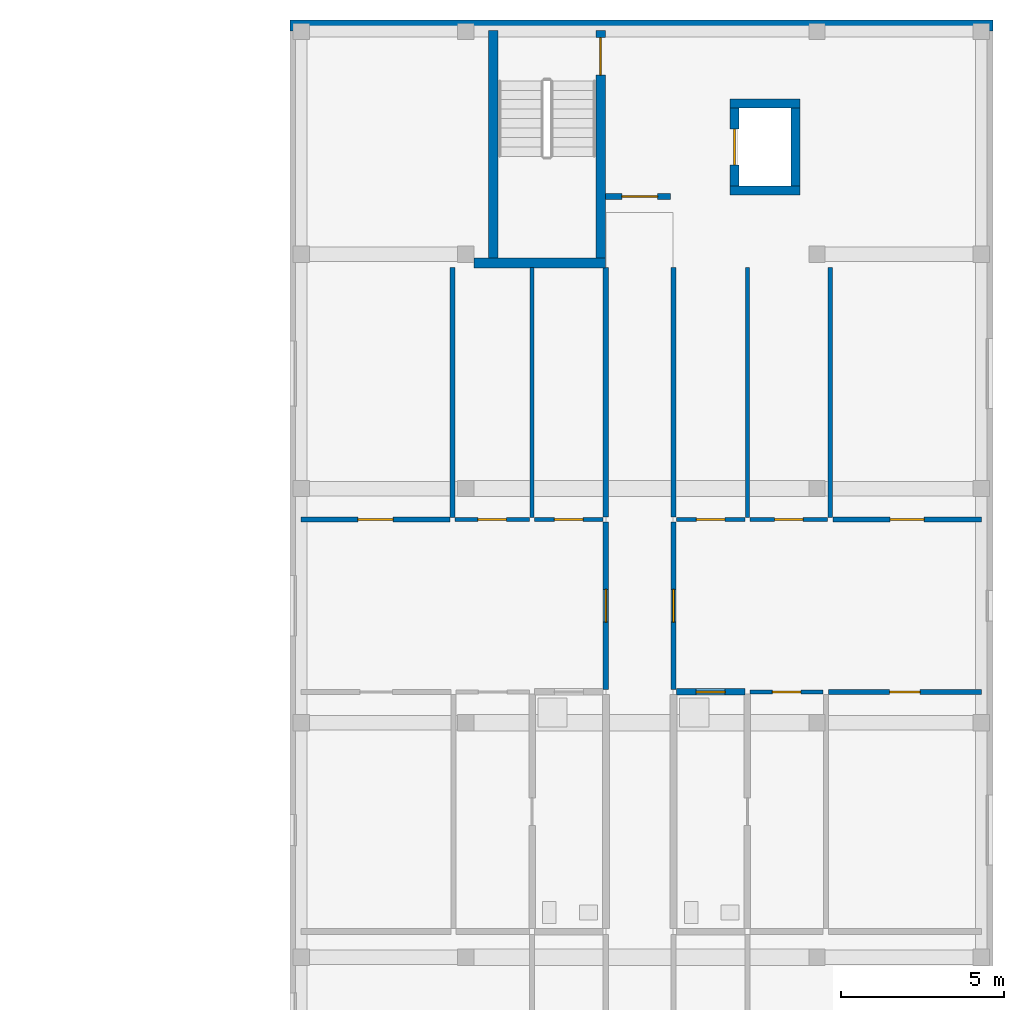
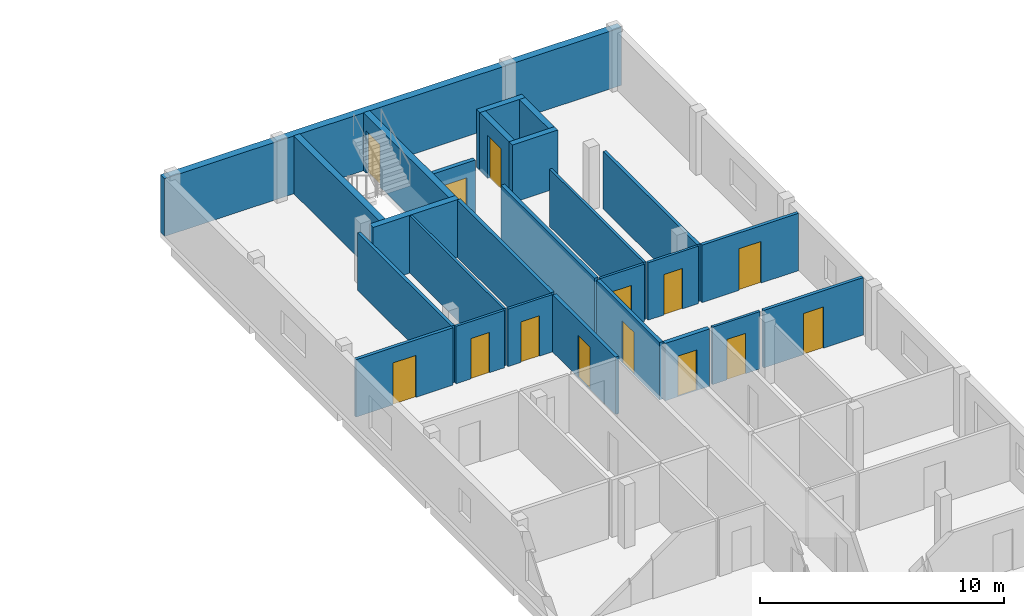
# One storey, part 18 of 28: 26 walls, 14 doors, 14 openings.
"""IFC4 building model written with IfcOpenShell, lengths in metres."""

from ifc_helpers import new_model, si_unit, derived_unit, direction, frame, frame_2d, origin, place, context, subcontext, project, spatial, rectangle, extrude, material, layer, layer_set, type_object, element, fill, save


model = new_model("IFC4")

# Units and contexts
model_context = context("Model", 3, precision=1e-05, world=origin(), true_north=direction((0.0, 1.0)))
body_context = subcontext(model_context, "Body", "Model", "MODEL_VIEW")
ifc_project = project(units=[si_unit("LENGTHUNIT", "METRE"), si_unit("AREAUNIT", "SQUARE_METRE"), si_unit("VOLUMEUNIT", "CUBIC_METRE"), si_unit("PLANEANGLEUNIT", "RADIAN"), si_unit("MASSUNIT", "GRAM", prefix="KILO"), derived_unit("THERMALTRANSMITTANCEUNIT", [(si_unit("MASSUNIT", "GRAM", prefix="KILO"), 1), (si_unit("TIMEUNIT", "SECOND"), -3), (si_unit("THERMODYNAMICTEMPERATUREUNIT", "KELVIN"), -1)])], contexts=[model_context])

# Site, building, storey
site_placement = place(None, origin())
site = spatial("IfcSite", under=ifc_project, at=site_placement, CompositionType="ELEMENT")
building_placement = place(site_placement, origin())
building = spatial("IfcBuilding", under=site, at=building_placement, Name="Ochrekiln Boulevard Commons", CompositionType="ELEMENT")
storey_placement = place(building_placement, frame((0.0, 0.0, 34.125)))
storey = spatial("IfcBuildingStorey", under=building, at=storey_placement, Name="L10", CompositionType="ELEMENT", Elevation=34.125)

# Wall
ifc_material_1 = material(Name="Iron-spot brown clinker brick masonry ASTM C216 Grade SW", Category="masonry")
ifc_layer_1 = layer(ifc_material_1, 0.340087890625)
ifc_layer_set_1 = layer_set([ifc_layer_1], Name="Iron-spot brown clinker brick masonry ASTM C216 Grade SW")
wall_type_1 = type_object("IfcWallType", Name="WL-EXT-IRON-340", PredefinedType="SOLIDWALL", material=ifc_layer_set_1)
wall_1_placement = place(storey_placement, frame((151.199951171875, 118.6298828125, 0.0), z_axis=(0.0, 0.0, 1.0), x_axis=(1.0, 0.0, 0.0)))
element("IfcWall", 1, at=wall_1_placement, inside=storey, type_object=wall_type_1, Name="Block B L10 N Exterior Wall", PredefinedType="SOLIDWALL", context=body_context, shape_type="SweptSolid", body=[
    extrude(rectangle(XDim=21.60009765625, YDim=0.340087890625, at=frame_2d((10.800048828125, 0.0))), origin(), (0.0, 0.0, 1.0), 2.889892578125),
])

# Wall, opening, door
ifc_material_2 = material(Name="Moisture-resistant cementitious tile backer wall")
ifc_layer_2 = layer(ifc_material_2, 0.199951171875)
ifc_layer_set_2 = layer_set([ifc_layer_2], Name="Moisture-resistant cementitious tile backer wall")
wall_type_2 = type_object("IfcWallType", Name="WL-PLM-200", PredefinedType="PLUMBINGWALL", material=ifc_layer_set_2)
wall_2_placement = place(storey_placement, frame((163.072998046875, 98.14990234375, 0.0), z_axis=(0.0, 0.0, 1.0), x_axis=(1.0, 0.0, 0.0)))
wall_2 = element("IfcWall", 2, at=wall_2_placement, inside=storey, type_object=wall_type_2, Name="L10 Interior Wall W-PW200", PredefinedType="PLUMBINGWALL", context=body_context, shape_type="SweptSolid", body=[
    extrude(rectangle(XDim=2.10693359375, YDim=0.199951171875, at=frame_2d((1.053466796875, 0.0))), origin(), (0.0, 0.0, 1.0), 2.8701171875),
])
opening_1_placement = place(wall_2_placement, frame((0.612060546875, 0.0, 0.0)))
opening_1 = element("IfcOpeningElement", 3, at=opening_1_placement, cuts=wall_2, Name="Opening D-L10-1217", PredefinedType="OPENING", context=body_context, shape_type="SweptSolid", body=[
    extrude(rectangle(XDim=0.889892578125, YDim=2.030029296875, at=frame_2d((0.44482421875, 1.01513671875))), frame((0.0, 0.10986328125, 0.0), z_axis=(0.0, -1.0, 0.0), x_axis=(1.0, 0.0, 0.0)), (0.0, 0.0, 1.0), 0.219970703125),
])
ifc_material_3 = material(Name="Solid core architectural oak door leaf")
door_type_1 = type_object("IfcDoorType", Name="DR-INT-BTH-089", OperationType="NOTDEFINED", PredefinedType="DOOR", material=ifc_material_3)
door_1_placement = place(opening_1_placement, frame((0.889892578125, 0.0, 0.0), z_axis=(0.0, 0.0, 1.0), x_axis=(-1.0, 0.0, 0.0)))
door_1 = element("IfcDoor", 4, at=door_1_placement, inside=storey, type_object=door_type_1, Name="L10 Interior Door to Apartment Bathroom", OperationType="SINGLE_SWING_LEFT", OverallHeight=2.030029296875, OverallWidth=0.889892578125, PredefinedType="DOOR", context=body_context, shape_type="SweptSolid", body=[
    extrude(rectangle(XDim=0.889892578125, YDim=2.030029296875, at=frame_2d((0.44482421875, 1.01513671875))), frame((0.0, 0.02490234375, 0.0), z_axis=(0.0, -1.0, 0.0), x_axis=(1.0, 0.0, 0.0)), (0.0, 0.0, 1.0), 0.050048828125),
])
fill(opening_1, door_1)

ifc_material_4 = material(Name="Fire-rated Type X gypsum board on steel studs", Category="steel")
ifc_layer_3 = layer(ifc_material_4, 0.1650390625)
ifc_layer_set_3 = layer_set([ifc_layer_3], Name="Fire-rated Type X gypsum board on steel studs")
wall_type_3 = type_object("IfcWallType", Name="WL-PT-CORR-165", PredefinedType="PARTITIONING", material=ifc_layer_set_3)
wall_3_placement = place(storey_placement, frame((160.909912109375, 98.22998046875, 0.0), z_axis=(0.0, 0.0, 1.0), x_axis=(0.0, 1.0, 0.0)))
wall_3 = element("IfcWall", 5, at=wall_3_placement, inside=storey, type_object=wall_type_3, Name="L10 Interior Wall W-PC165", PredefinedType="PARTITIONING", context=body_context, shape_type="SweptSolid", body=[
    extrude(rectangle(XDim=5.14013671875, YDim=0.1650390625, at=frame_2d((2.570068359375, 0.0))), origin(), (0.0, 0.0, 1.0), 2.8701171875),
])
opening_2_placement = place(wall_3_placement, frame((2.06494140625, 0.0, 0.0)))
opening_2 = element("IfcOpeningElement", 6, at=opening_2_placement, cuts=wall_3, Name="Opening D-L10-1199", PredefinedType="OPENING", context=body_context, shape_type="SweptSolid", body=[
    extrude(rectangle(XDim=1.010009765625, YDim=2.110107421875, at=frame_2d((0.5048828125, 1.05517578125))), frame((0.0, 0.092529296875, 0.0), z_axis=(0.0, -1.0, 0.0), x_axis=(1.0, 0.0, 0.0)), (0.0, 0.0, 1.0), 0.18505859375),
])
door_type_2 = type_object("IfcDoorType", Name="DR-INT-APT-101", OperationType="NOTDEFINED", PredefinedType="DOOR", material=ifc_material_3)
door_2_placement = place(opening_2_placement, origin())
door_2 = element("IfcDoor", 7, at=door_2_placement, inside=storey, type_object=door_type_2, Name="L10 Interior Door to Two-Bedroom Apartment Living Room", OperationType="SINGLE_SWING_LEFT", OverallHeight=2.110107421875, OverallWidth=1.010009765625, PredefinedType="DOOR", context=body_context, shape_type="SweptSolid", body=[
    extrude(rectangle(XDim=1.010009765625, YDim=2.110107421875, at=frame_2d((0.5048828125, 1.05517578125))), frame((0.0, 0.02490234375, 0.0), z_axis=(0.0, -1.0, 0.0), x_axis=(1.0, 0.0, 0.0)), (0.0, 0.0, 1.0), 0.050048828125),
])
fill(opening_2, door_2)

# Wall
wall_4_placement = place(storey_placement, frame((160.909912109375, 103.530029296875, 0.0), z_axis=(0.0, 0.0, 1.0), x_axis=(0.0, 1.0, 0.0)))
element("IfcWall", 8, at=wall_4_placement, inside=storey, type_object=wall_type_3, Name="L10 Interior Wall W-PC165", PredefinedType="PARTITIONING", context=body_context, shape_type="SweptSolid", body=[
    extrude(rectangle(XDim=7.669921875, YDim=0.1650390625, at=frame_2d((3.8349609375, 0.0))), origin(), (0.0, 0.0, 1.0), 2.8701171875),
])

# Wall, opening, door
wall_5_placement = place(storey_placement, frame((162.989990234375, 98.22998046875, 0.0), z_axis=(0.0, 0.0, 1.0), x_axis=(0.0, 1.0, 0.0)))
wall_5 = element("IfcWall", 9, at=wall_5_placement, inside=storey, type_object=wall_type_3, Name="L10 Interior Wall W-PC165", PredefinedType="PARTITIONING", context=body_context, shape_type="SweptSolid", body=[
    extrude(rectangle(XDim=5.14013671875, YDim=0.1650390625, at=frame_2d((2.570068359375, 0.0))), origin(), (0.0, 0.0, 1.0), 2.8701171875),
])
opening_3_placement = place(wall_5_placement, frame((2.06494140625, 0.0, 0.0)))
opening_3 = element("IfcOpeningElement", 10, at=opening_3_placement, cuts=wall_5, Name="Opening D-L10-1201", PredefinedType="OPENING", context=body_context, shape_type="SweptSolid", body=[
    extrude(rectangle(XDim=1.010009765625, YDim=2.110107421875, at=frame_2d((0.5048828125, 1.05517578125))), frame((0.0, 0.092529296875, 0.0), z_axis=(0.0, -1.0, 0.0), x_axis=(1.0, 0.0, 0.0)), (0.0, 0.0, 1.0), 0.18505859375),
])
door_3_placement = place(opening_3_placement, frame((1.010009765625, 0.0, 0.0), z_axis=(0.0, 0.0, 1.0), x_axis=(-1.0, 0.0, 0.0)))
door_3 = element("IfcDoor", 11, at=door_3_placement, inside=storey, type_object=door_type_2, Name="L10 Interior Door to Two-Bedroom Apartment Living Room", OperationType="SINGLE_SWING_LEFT", OverallHeight=2.110107421875, OverallWidth=1.010009765625, PredefinedType="DOOR", context=body_context, shape_type="SweptSolid", body=[
    extrude(rectangle(XDim=1.010009765625, YDim=2.110107421875, at=frame_2d((0.5048828125, 1.05517578125))), frame((0.0, 0.02490234375, 0.0), z_axis=(0.0, -1.0, 0.0), x_axis=(1.0, 0.0, 0.0)), (0.0, 0.0, 1.0), 0.050048828125),
])
fill(opening_3, door_3)

# Wall
wall_6_placement = place(storey_placement, frame((162.989990234375, 103.530029296875, 0.0), z_axis=(0.0, 0.0, 1.0), x_axis=(0.0, 1.0, 0.0)))
element("IfcWall", 12, at=wall_6_placement, inside=storey, type_object=wall_type_3, Name="L10 Interior Wall W-PC165", PredefinedType="PARTITIONING", context=body_context, shape_type="SweptSolid", body=[
    extrude(rectangle(XDim=7.669921875, YDim=0.1650390625, at=frame_2d((3.8349609375, 0.0))), origin(), (0.0, 0.0, 1.0), 2.8701171875),
])

# Wall, opening, door
ifc_layer_4 = layer(ifc_material_4, 0.18994140625)
ifc_layer_set_4 = layer_set([ifc_layer_4], Name="Fire-rated Type X gypsum board on steel studs")
wall_type_4 = type_object("IfcWallType", Name="WL-PT-LBY-190", PredefinedType="PARTITIONING", material=ifc_layer_set_4)
wall_7_placement = place(storey_placement, frame((160.89990234375, 113.3798828125, 0.0), z_axis=(0.0, 0.0, 1.0), x_axis=(1.0, 0.0, 0.0)))
wall_7 = element("IfcWall", 13, at=wall_7_placement, inside=storey, type_object=wall_type_4, Name="L10 Interior Wall W-PL190", PredefinedType="PARTITIONING", context=body_context, shape_type="SweptSolid", body=[
    extrude(rectangle(XDim=2.0, YDim=0.18994140625, at=frame_2d((1.0, 0.0))), origin(), (0.0, 0.0, 1.0), 2.8701171875),
])
opening_4_placement = place(wall_7_placement, frame((0.5, 0.0, 0.0)))
opening_4 = element("IfcOpeningElement", 14, at=opening_4_placement, cuts=wall_7, Name="Opening D-L10-1196", PredefinedType="OPENING", context=body_context, shape_type="SweptSolid", body=[
    extrude(rectangle(XDim=1.10009765625, YDim=2.1201171875, at=frame_2d((0.550048828125, 1.06005859375))), frame((0.0, 0.10498046875, 0.0), z_axis=(0.0, -1.0, 0.0), x_axis=(1.0, 0.0, 0.0)), (0.0, 0.0, 1.0), 0.2099609375),
])
ifc_material_5 = material(Name="Hollow metal fire-rated steel door assembly", Category="steel")
door_type_3 = type_object("IfcDoorType", Name="DR-LOBBY-60", OperationType="NOTDEFINED", PredefinedType="DOOR", material=ifc_material_5)
door_4_placement = place(opening_4_placement, origin())
door_4 = element("IfcDoor", 15, at=door_4_placement, inside=storey, type_object=door_type_3, Name="L10 Interior Door to Fire Service Access Elevator Lobby", OperationType="SINGLE_SWING_RIGHT", OverallHeight=2.1201171875, OverallWidth=1.10009765625, PredefinedType="DOOR", context=body_context, shape_type="SweptSolid", body=[
    extrude(rectangle(XDim=1.10009765625, YDim=2.1201171875, at=frame_2d((0.550048828125, 1.06005859375))), frame((0.0, 0.02490234375, 0.0), z_axis=(0.0, -1.0, 0.0), x_axis=(1.0, 0.0, 0.0)), (0.0, 0.0, 1.0), 0.050048828125),
])
fill(opening_4, door_4)

ifc_layer_5 = layer(ifc_material_4, 0.1201171875)
ifc_layer_set_5 = layer_set([ifc_layer_5], Name="Fire-rated Type X gypsum board on steel studs")
wall_type_5 = type_object("IfcWallType", Name="WL-PT-LGT-120", PredefinedType="PARTITIONING", material=ifc_layer_set_5)
wall_8_placement = place(storey_placement, frame((158.719970703125, 103.449951171875, 0.0), z_axis=(0.0, 0.0, 1.0), x_axis=(1.0, 0.0, 0.0)))
wall_8 = element("IfcWall", 16, at=wall_8_placement, inside=storey, type_object=wall_type_5, Name="L10 Interior Wall W-PL120", PredefinedType="PARTITIONING", context=body_context, shape_type="SweptSolid", body=[
    extrude(rectangle(XDim=2.10693359375, YDim=0.1201171875, at=frame_2d((1.053466796875, 0.0))), origin(), (0.0, 0.0, 1.0), 2.8701171875),
])
opening_5_placement = place(wall_8_placement, frame((0.610107421875, 0.0, 0.0)))
opening_5 = element("IfcOpeningElement", 17, at=opening_5_placement, cuts=wall_8, Name="Opening D-L10-1207", PredefinedType="OPENING", context=body_context, shape_type="SweptSolid", body=[
    extrude(rectangle(XDim=0.8798828125, YDim=2.02001953125, at=frame_2d((0.43994140625, 1.010009765625))), frame((0.0, 0.070068359375, 0.0), z_axis=(0.0, -1.0, 0.0), x_axis=(1.0, 0.0, 0.0)), (0.0, 0.0, 1.0), 0.14013671875),
])
door_type_4 = type_object("IfcDoorType", Name="DR-INT-KIT-088", OperationType="NOTDEFINED", PredefinedType="DOOR", material=ifc_material_3)
door_5_placement = place(opening_5_placement, origin())
door_5 = element("IfcDoor", 18, at=door_5_placement, inside=storey, type_object=door_type_4, Name="L10 Interior Door to Apartment Kitchen", OperationType="SINGLE_SWING_LEFT", OverallHeight=2.02001953125, OverallWidth=0.8798828125, PredefinedType="DOOR", context=body_context, shape_type="SweptSolid", body=[
    extrude(rectangle(XDim=0.8798828125, YDim=2.02001953125, at=frame_2d((0.43994140625, 1.010009765625))), frame((0.0, 0.02490234375, 0.0), z_axis=(0.0, -1.0, 0.0), x_axis=(1.0, 0.0, 0.0)), (0.0, 0.0, 1.0), 0.050048828125),
])
fill(opening_5, door_5)

wall_9_placement = place(storey_placement, frame((156.27294921875, 103.449951171875, 0.0), z_axis=(0.0, 0.0, 1.0), x_axis=(1.0, 0.0, 0.0)))
wall_9 = element("IfcWall", 19, at=wall_9_placement, inside=storey, type_object=wall_type_5, Name="L10 Interior Wall W-PL120", PredefinedType="PARTITIONING", context=body_context, shape_type="SweptSolid", body=[
    extrude(rectangle(XDim=2.287109375, YDim=0.1201171875, at=frame_2d((1.1435546875, 0.0))), origin(), (0.0, 0.0, 1.0), 2.8701171875),
])
opening_6_placement = place(wall_9_placement, frame((0.702880859375, 0.0, 0.0)))
opening_6 = element("IfcOpeningElement", 20, at=opening_6_placement, cuts=wall_9, Name="Opening D-L10-1211", PredefinedType="OPENING", context=body_context, shape_type="SweptSolid", body=[
    extrude(rectangle(XDim=0.8798828125, YDim=2.02001953125, at=frame_2d((0.43994140625, 1.010009765625))), frame((0.0, 0.070068359375, 0.0), z_axis=(0.0, -1.0, 0.0), x_axis=(1.0, 0.0, 0.0)), (0.0, 0.0, 1.0), 0.14013671875),
])
door_6_placement = place(opening_6_placement, origin())
door_6 = element("IfcDoor", 21, at=door_6_placement, inside=storey, type_object=door_type_4, Name="L10 Interior Door to Apartment Walk-In Wardrobe", OperationType="SINGLE_SWING_LEFT", OverallHeight=2.02001953125, OverallWidth=0.8798828125, PredefinedType="DOOR", context=body_context, shape_type="SweptSolid", body=[
    extrude(rectangle(XDim=0.8798828125, YDim=2.02001953125, at=frame_2d((0.43994140625, 1.010009765625))), frame((0.0, 0.02490234375, 0.0), z_axis=(0.0, -1.0, 0.0), x_axis=(1.0, 0.0, 0.0)), (0.0, 0.0, 1.0), 0.050048828125),
])
fill(opening_6, door_6)

# Wall
wall_10_placement = place(storey_placement, frame((158.639892578125, 103.510009765625, 0.0), z_axis=(0.0, 0.0, 1.0), x_axis=(0.0, 1.0, 0.0)))
element("IfcWall", 22, at=wall_10_placement, inside=storey, type_object=wall_type_5, Name="L10 Interior Wall W-PL120", PredefinedType="PARTITIONING", context=body_context, shape_type="SweptSolid", body=[
    extrude(rectangle(XDim=7.68994140625, YDim=0.1201171875, at=frame_2d((3.844970703125, 0.0))), origin(), (0.0, 0.0, 1.0), 2.8701171875),
])

# Wall, opening, door
wall_11_placement = place(storey_placement, frame((163.072998046875, 103.449951171875, 0.0), z_axis=(0.0, 0.0, 1.0), x_axis=(1.0, 0.0, 0.0)))
wall_11 = element("IfcWall", 23, at=wall_11_placement, inside=storey, type_object=wall_type_5, Name="L10 Interior Wall W-PL120", PredefinedType="PARTITIONING", context=body_context, shape_type="SweptSolid", body=[
    extrude(rectangle(XDim=2.10693359375, YDim=0.1201171875, at=frame_2d((1.053466796875, 0.0))), origin(), (0.0, 0.0, 1.0), 2.8701171875),
])
opening_7_placement = place(wall_11_placement, frame((0.616943359375, 0.0, 0.0)))
opening_7 = element("IfcOpeningElement", 24, at=opening_7_placement, cuts=wall_11, Name="Opening D-L10-1218", PredefinedType="OPENING", context=body_context, shape_type="SweptSolid", body=[
    extrude(rectangle(XDim=0.8798828125, YDim=2.02001953125, at=frame_2d((0.43994140625, 1.010009765625))), frame((0.0, 0.070068359375, 0.0), z_axis=(0.0, -1.0, 0.0), x_axis=(1.0, 0.0, 0.0)), (0.0, 0.0, 1.0), 0.14013671875),
])
door_7_placement = place(opening_7_placement, origin())
door_7 = element("IfcDoor", 25, at=door_7_placement, inside=storey, type_object=door_type_4, Name="L10 Interior Door to Apartment Kitchen", OperationType="SINGLE_SWING_RIGHT", OverallHeight=2.02001953125, OverallWidth=0.8798828125, PredefinedType="DOOR", context=body_context, shape_type="SweptSolid", body=[
    extrude(rectangle(XDim=0.8798828125, YDim=2.02001953125, at=frame_2d((0.43994140625, 1.010009765625))), frame((0.0, 0.02490234375, 0.0), z_axis=(0.0, -1.0, 0.0), x_axis=(1.0, 0.0, 0.0)), (0.0, 0.0, 1.0), 0.050048828125),
])
fill(opening_7, door_7)

wall_12_placement = place(storey_placement, frame((165.340087890625, 98.14990234375, 0.0), z_axis=(0.0, 0.0, 1.0), x_axis=(1.0, 0.0, 0.0)))
wall_12 = element("IfcWall", 26, at=wall_12_placement, inside=storey, type_object=wall_type_5, Name="L10 Interior Wall W-PL120", PredefinedType="PARTITIONING", context=body_context, shape_type="SweptSolid", body=[
    extrude(rectangle(XDim=2.25, YDim=0.1201171875, at=frame_2d((1.125, 0.0))), origin(), (0.0, 0.0, 1.0), 2.8701171875),
])
opening_8_placement = place(wall_12_placement, frame((0.68505859375, 0.0, 0.0)))
opening_8 = element("IfcOpeningElement", 27, at=opening_8_placement, cuts=wall_12, Name="Opening D-L10-1220", PredefinedType="OPENING", context=body_context, shape_type="SweptSolid", body=[
    extrude(rectangle(XDim=0.8798828125, YDim=2.02001953125, at=frame_2d((0.43994140625, 1.010009765625))), frame((0.0, 0.070068359375, 0.0), z_axis=(0.0, -1.0, 0.0), x_axis=(1.0, 0.0, 0.0)), (0.0, 0.0, 1.0), 0.14013671875),
])
door_8_placement = place(opening_8_placement, frame((0.8798828125, 0.0, 0.0), z_axis=(0.0, 0.0, 1.0), x_axis=(-1.0, 0.0, 0.0)))
door_8 = element("IfcDoor", 28, at=door_8_placement, inside=storey, type_object=door_type_4, Name="L10 Interior Door to Apartment Walk-In Wardrobe", OperationType="SINGLE_SWING_RIGHT", OverallHeight=2.02001953125, OverallWidth=0.8798828125, PredefinedType="DOOR", context=body_context, shape_type="SweptSolid", body=[
    extrude(rectangle(XDim=0.8798828125, YDim=2.02001953125, at=frame_2d((0.43994140625, 1.010009765625))), frame((0.0, 0.02490234375, 0.0), z_axis=(0.0, -1.0, 0.0), x_axis=(1.0, 0.0, 0.0)), (0.0, 0.0, 1.0), 0.050048828125),
])
fill(opening_8, door_8)

wall_13_placement = place(storey_placement, frame((165.340087890625, 103.449951171875, 0.0), z_axis=(0.0, 0.0, 1.0), x_axis=(1.0, 0.0, 0.0)))
wall_13 = element("IfcWall", 29, at=wall_13_placement, inside=storey, type_object=wall_type_5, Name="L10 Interior Wall W-PL120", PredefinedType="PARTITIONING", context=body_context, shape_type="SweptSolid", body=[
    extrude(rectangle(XDim=2.386962890625, YDim=0.1201171875, at=frame_2d((1.193359375, 0.0))), origin(), (0.0, 0.0, 1.0), 2.8701171875),
])
opening_9_placement = place(wall_13_placement, frame((0.75390625, 0.0, 0.0)))
opening_9 = element("IfcOpeningElement", 30, at=opening_9_placement, cuts=wall_13, Name="Opening D-L10-1222", PredefinedType="OPENING", context=body_context, shape_type="SweptSolid", body=[
    extrude(rectangle(XDim=0.8798828125, YDim=2.02001953125, at=frame_2d((0.43994140625, 1.010009765625))), frame((0.0, 0.070068359375, 0.0), z_axis=(0.0, -1.0, 0.0), x_axis=(1.0, 0.0, 0.0)), (0.0, 0.0, 1.0), 0.14013671875),
])
door_9_placement = place(opening_9_placement, origin())
door_9 = element("IfcDoor", 31, at=door_9_placement, inside=storey, type_object=door_type_4, Name="L10 Interior Door to Apartment Walk-In Wardrobe", OperationType="SINGLE_SWING_RIGHT", OverallHeight=2.02001953125, OverallWidth=0.8798828125, PredefinedType="DOOR", context=body_context, shape_type="SweptSolid", body=[
    extrude(rectangle(XDim=0.8798828125, YDim=2.02001953125, at=frame_2d((0.43994140625, 1.010009765625))), frame((0.0, 0.02490234375, 0.0), z_axis=(0.0, -1.0, 0.0), x_axis=(1.0, 0.0, 0.0)), (0.0, 0.0, 1.0), 0.050048828125),
])
fill(opening_9, door_9)

# Wall
wall_14_placement = place(storey_placement, frame((165.260009765625, 103.510009765625, 0.0), z_axis=(0.0, 0.0, 1.0), x_axis=(0.0, 1.0, 0.0)))
element("IfcWall", 32, at=wall_14_placement, inside=storey, type_object=wall_type_5, Name="L10 Interior Wall W-PL120", PredefinedType="PARTITIONING", context=body_context, shape_type="SweptSolid", body=[
    extrude(rectangle(XDim=7.68994140625, YDim=0.1201171875, at=frame_2d((3.844970703125, 0.0))), origin(), (0.0, 0.0, 1.0), 2.8701171875),
])

# Wall, opening, door
ifc_layer_6 = layer(ifc_material_4, 0.14990234375)
ifc_layer_set_6 = layer_set([ifc_layer_6], Name="Fire-rated Type X gypsum board on steel studs")
wall_type_6 = type_object("IfcWallType", Name="WL-PT-STD-150", PredefinedType="PARTITIONING", material=ifc_layer_set_6)
wall_15_placement = place(storey_placement, frame((151.5400390625, 103.449951171875, 0.0), z_axis=(0.0, 0.0, 1.0), x_axis=(1.0, 0.0, 0.0)))
wall_15 = element("IfcWall", 33, at=wall_15_placement, inside=storey, type_object=wall_type_6, Name="L10 Interior Wall W-PS150", PredefinedType="PARTITIONING", context=body_context, shape_type="SweptSolid", body=[
    extrude(rectangle(XDim=4.572998046875, YDim=0.14990234375, at=frame_2d((2.28662109375, 0.0))), origin(), (0.0, 0.0, 1.0), 2.8701171875),
])
opening_10_placement = place(wall_15_placement, frame((1.751953125, 0.0, 0.0)))
opening_10 = element("IfcOpeningElement", 34, at=opening_10_placement, cuts=wall_15, Name="Opening D-L10-1210", PredefinedType="OPENING", context=body_context, shape_type="SweptSolid", body=[
    extrude(rectangle(XDim=1.080078125, YDim=2.10009765625, at=frame_2d((0.5400390625, 1.050048828125))), frame((0.0, 0.0849609375, 0.0), z_axis=(0.0, -1.0, 0.0), x_axis=(1.0, 0.0, 0.0)), (0.0, 0.0, 1.0), 0.169921875),
])
door_type_5 = type_object("IfcDoorType", Name="DR-INT-BED-108", OperationType="NOTDEFINED", PredefinedType="DOOR", material=ifc_material_3)
door_10_placement = place(opening_10_placement, origin())
door_10 = element("IfcDoor", 35, at=door_10_placement, inside=storey, type_object=door_type_5, Name="L10 Interior Door to Secondary Apartment Bedroom", OperationType="SINGLE_SWING_RIGHT", OverallHeight=2.10009765625, OverallWidth=1.080078125, PredefinedType="DOOR", context=body_context, shape_type="SweptSolid", body=[
    extrude(rectangle(XDim=1.080078125, YDim=2.10009765625, at=frame_2d((0.5400390625, 1.050048828125))), frame((0.0, 0.02490234375, 0.0), z_axis=(0.0, -1.0, 0.0), x_axis=(1.0, 0.0, 0.0)), (0.0, 0.0, 1.0), 0.050048828125),
])
fill(opening_10, door_10)

# Wall
wall_16_placement = place(storey_placement, frame((156.193115234375, 103.510009765625, 0.0), z_axis=(0.0, 0.0, 1.0), x_axis=(0.0, 1.0, 0.0)))
element("IfcWall", 36, at=wall_16_placement, inside=storey, type_object=wall_type_6, Name="L10 Interior Wall W-PS150", PredefinedType="PARTITIONING", context=body_context, shape_type="SweptSolid", body=[
    extrude(rectangle(XDim=7.68994140625, YDim=0.14990234375, at=frame_2d((3.844970703125, 0.0))), origin(), (0.0, 0.0, 1.0), 2.8701171875),
])

# Wall, opening, door
wall_17_placement = place(storey_placement, frame((167.75, 98.14990234375, 0.0), z_axis=(0.0, 0.0, 1.0), x_axis=(1.0, 0.0, 0.0)))
wall_17 = element("IfcWall", 37, at=wall_17_placement, inside=storey, type_object=wall_type_6, Name="L10 Interior Wall W-PS150", PredefinedType="PARTITIONING", context=body_context, shape_type="SweptSolid", body=[
    extrude(rectangle(XDim=4.7099609375, YDim=0.14990234375, at=frame_2d((2.35498046875, 0.0))), origin(), (0.0, 0.0, 1.0), 2.8701171875),
])
opening_11_placement = place(wall_17_placement, frame((1.8798828125, 0.0, 0.0)))
opening_11 = element("IfcOpeningElement", 38, at=opening_11_placement, cuts=wall_17, Name="Opening D-L10-1219", PredefinedType="OPENING", context=body_context, shape_type="SweptSolid", body=[
    extrude(rectangle(XDim=0.93994140625, YDim=2.06005859375, at=frame_2d((0.469970703125, 1.030029296875))), frame((0.0, 0.0849609375, 0.0), z_axis=(0.0, -1.0, 0.0), x_axis=(1.0, 0.0, 0.0)), (0.0, 0.0, 1.0), 0.169921875),
])
door_type_6 = type_object("IfcDoorType", Name="DR-INT-BED-094", OperationType="NOTDEFINED", PredefinedType="DOOR", material=ifc_material_3)
door_11_placement = place(opening_11_placement, frame((0.93994140625, 0.0, 0.0), z_axis=(0.0, 0.0, 1.0), x_axis=(-1.0, 0.0, 0.0)))
door_11 = element("IfcDoor", 39, at=door_11_placement, inside=storey, type_object=door_type_6, Name="L10 Interior Door to Primary Apartment Bedroom", OperationType="SINGLE_SWING_LEFT", OverallHeight=2.06005859375, OverallWidth=0.93994140625, PredefinedType="DOOR", context=body_context, shape_type="SweptSolid", body=[
    extrude(rectangle(XDim=0.93994140625, YDim=2.06005859375, at=frame_2d((0.469970703125, 1.030029296875))), frame((0.0, 0.02490234375, 0.0), z_axis=(0.0, -1.0, 0.0), x_axis=(1.0, 0.0, 0.0)), (0.0, 0.0, 1.0), 0.050048828125),
])
fill(opening_11, door_11)

wall_18_placement = place(storey_placement, frame((167.886962890625, 103.449951171875, 0.0), z_axis=(0.0, 0.0, 1.0), x_axis=(1.0, 0.0, 0.0)))
wall_18 = element("IfcWall", 40, at=wall_18_placement, inside=storey, type_object=wall_type_6, Name="L10 Interior Wall W-PS150", PredefinedType="PARTITIONING", context=body_context, shape_type="SweptSolid", body=[
    extrude(rectangle(XDim=4.572998046875, YDim=0.14990234375, at=frame_2d((2.28662109375, 0.0))), origin(), (0.0, 0.0, 1.0), 2.8701171875),
])
opening_12_placement = place(wall_18_placement, frame((1.760986328125, 0.0, 0.0)))
opening_12 = element("IfcOpeningElement", 41, at=opening_12_placement, cuts=wall_18, Name="Opening D-L10-1221", PredefinedType="OPENING", context=body_context, shape_type="SweptSolid", body=[
    extrude(rectangle(XDim=1.0400390625, YDim=2.080078125, at=frame_2d((0.52001953125, 1.0400390625))), frame((0.0, 0.0849609375, 0.0), z_axis=(0.0, -1.0, 0.0), x_axis=(1.0, 0.0, 0.0)), (0.0, 0.0, 1.0), 0.169921875),
])
door_type_7 = type_object("IfcDoorType", Name="DR-INT-BED-104", OperationType="NOTDEFINED", PredefinedType="DOOR", material=ifc_material_3)
door_12_placement = place(opening_12_placement, origin())
door_12 = element("IfcDoor", 42, at=door_12_placement, inside=storey, type_object=door_type_7, Name="L10 Interior Door to Secondary Apartment Bedroom", OperationType="SINGLE_SWING_LEFT", OverallHeight=2.080078125, OverallWidth=1.0400390625, PredefinedType="DOOR", context=body_context, shape_type="SweptSolid", body=[
    extrude(rectangle(XDim=1.0400390625, YDim=2.080078125, at=frame_2d((0.52001953125, 1.0400390625))), frame((0.0, 0.02490234375, 0.0), z_axis=(0.0, -1.0, 0.0), x_axis=(1.0, 0.0, 0.0)), (0.0, 0.0, 1.0), 0.050048828125),
])
fill(opening_12, door_12)

# Walls
wall_19_placement = place(storey_placement, frame((167.806884765625, 103.510009765625, 0.0), z_axis=(0.0, 0.0, 1.0), x_axis=(0.0, 1.0, 0.0)))
element("IfcWall", 43, at=wall_19_placement, inside=storey, type_object=wall_type_6, Name="L10 Interior Wall W-PS150", PredefinedType="PARTITIONING", context=body_context, shape_type="SweptSolid", body=[
    extrude(rectangle(XDim=7.68994140625, YDim=0.14990234375, at=frame_2d((3.844970703125, 0.0))), origin(), (0.0, 0.0, 1.0), 2.8701171875),
])
ifc_material_6 = material(Name="Concrete C40/50", Category="concrete")
ifc_layer_7 = layer(ifc_material_6, 0.27490234375)
ifc_layer_set_7 = layer_set([ifc_layer_7], Name="Concrete C40/50")
wall_type_7 = type_object("IfcWallType", Name="WL-SH-275", PredefinedType="SHEAR", material=ifc_layer_set_7)
for number, where, z_axis, x_axis, name in (
    (44, (164.72509765625, 113.5625, 0.0), (0.0, 0.0, 1.0), (1.0, 0.0, 0.0), "Elevator FF-B2 L10 Hoistway Shear Wall"),
    (45, (164.72509765625, 116.237548828125, 0.0), (0.0, 0.0, 1.0), (1.0, 0.0, 0.0), "Elevator FF-B2 L10 Hoistway Shear Wall"),
):
    element("IfcWall", number, at=place(storey_placement, frame(where, z_axis=z_axis, x_axis=x_axis)), inside=storey, type_object=wall_type_7, Name=name, PredefinedType="SHEAR", context=body_context, shape_type="SweptSolid", body=[
        extrude(rectangle(XDim=2.14990234375, YDim=0.27490234375, at=frame_2d((1.074951171875, 0.0))), origin(), (0.0, 0.0, 1.0), 2.889892578125),
    ])

# Wall, opening, door
wall_20_placement = place(storey_placement, frame((164.862548828125, 113.699951171875, 0.0), z_axis=(0.0, 0.0, 1.0), x_axis=(0.0, 1.0, 0.0)))
wall_20 = element("IfcWall", 46, at=wall_20_placement, inside=storey, type_object=wall_type_7, Name="Elevator FF-B2 L10 Hoistway Shear Wall", PredefinedType="SHEAR", context=body_context, shape_type="SweptSolid", body=[
    extrude(rectangle(XDim=2.400146484375, YDim=0.27490234375, at=frame_2d((1.2001953125, 0.0))), origin(), (0.0, 0.0, 1.0), 2.889892578125),
])
opening_13_placement = place(wall_20_placement, frame((0.64990234375, 0.0, 0.0)))
opening_13 = element("IfcOpeningElement", 47, at=opening_13_placement, cuts=wall_20, Name="Opening LD-FF-B2-L10", PredefinedType="OPENING", context=body_context, shape_type="SweptSolid", body=[
    extrude(rectangle(XDim=1.10009765625, YDim=2.14990234375, at=frame_2d((0.550048828125, 1.074951171875))), frame((0.0, 0.1474609375, 0.0), z_axis=(0.0, -1.0, 0.0), x_axis=(1.0, 0.0, 0.0)), (0.0, 0.0, 1.0), 0.294921875),
])
ifc_material_7 = material(Name="Brushed stainless steel 316 elevator cab and doors", Category="steel")
door_type_8 = type_object("IfcDoorType", Name="DR-LIFT-LD90", OperationType="SLIDING_TO_LEFT", PredefinedType="DOOR", material=ifc_material_7)
door_13_placement = place(opening_13_placement, origin())
door_13 = element("IfcDoor", 48, at=door_13_placement, inside=storey, type_object=door_type_8, Name="Elevator FF-B2 L10 Sliding Landing Door LD-FF-B2-L10", OperationType="SLIDING_TO_LEFT", OverallHeight=2.14990234375, OverallWidth=1.10009765625, PredefinedType="DOOR", context=body_context, shape_type="SweptSolid", body=[
    extrude(rectangle(XDim=1.10009765625, YDim=2.14990234375, at=frame_2d((0.550048828125, 1.074951171875))), frame((0.0, 0.02490234375, 0.0), z_axis=(0.0, -1.0, 0.0), x_axis=(1.0, 0.0, 0.0)), (0.0, 0.0, 1.0), 0.050048828125),
])
fill(opening_13, door_13)

# Walls
wall_21_placement = place(storey_placement, frame((166.737548828125, 113.699951171875, 0.0), z_axis=(0.0, 0.0, 1.0), x_axis=(0.0, 1.0, 0.0)))
element("IfcWall", 49, at=wall_21_placement, inside=storey, type_object=wall_type_7, Name="Elevator FF-B2 L10 Hoistway Shear Wall", PredefinedType="SHEAR", context=body_context, shape_type="SweptSolid", body=[
    extrude(rectangle(XDim=2.400146484375, YDim=0.27490234375, at=frame_2d((1.2001953125, 0.0))), origin(), (0.0, 0.0, 1.0), 2.889892578125),
])
ifc_layer_8 = layer(ifc_material_6, 0.300048828125)
ifc_layer_set_8 = layer_set([ifc_layer_8], Name="Concrete C40/50")
wall_type_8 = type_object("IfcWallType", Name="WL-SH-300", PredefinedType="SHEAR", material=ifc_layer_set_8)
wall_22_placement = place(storey_placement, frame((156.85009765625, 111.330078125, 0.0), z_axis=(0.0, 0.0, 1.0), x_axis=(1.0, 0.0, 0.0)))
element("IfcWall", 50, at=wall_22_placement, inside=storey, type_object=wall_type_8, Name="Stair ST-B2 L10 Core Shear Wall S", PredefinedType="SHEAR", context=body_context, shape_type="SweptSolid", body=[
    extrude(rectangle(XDim=4.0498046875, YDim=0.300048828125, at=frame_2d((2.02490234375, 0.0))), origin(), (0.0, 0.0, 1.0), 2.889892578125),
])
wall_23_placement = place(storey_placement, frame((157.449951171875, 111.47998046875, 0.0), z_axis=(0.0, 0.0, 1.0), x_axis=(0.0, 1.0, 0.0)))
element("IfcWall", 51, at=wall_23_placement, inside=storey, type_object=wall_type_8, Name="Stair ST-B2 L10 Core Shear Wall W", PredefinedType="SHEAR", context=body_context, shape_type="SweptSolid", body=[
    extrude(rectangle(XDim=7.0, YDim=0.300048828125, at=frame_2d((3.5, 0.0))), origin(), (0.0, 0.0, 1.0), 2.889892578125),
])

# Wall, opening, door
wall_24_placement = place(storey_placement, frame((160.75, 111.47998046875, 0.0), z_axis=(0.0, 0.0, 1.0), x_axis=(0.0, 1.0, 0.0)))
wall_24 = element("IfcWall", 52, at=wall_24_placement, inside=storey, type_object=wall_type_8, Name="Stair ST-B2 L10 Core Shear Wall E", PredefinedType="SHEAR", context=body_context, shape_type="SweptSolid", body=[
    extrude(rectangle(XDim=7.0, YDim=0.300048828125, at=frame_2d((3.5, 0.0))), origin(), (0.0, 0.0, 1.0), 2.889892578125),
])
opening_14_placement = place(wall_24_placement, frame((5.625, 0.0, 0.0)))
opening_14 = element("IfcOpeningElement", 53, at=opening_14_placement, cuts=wall_24, Name="Opening D-L10-ST-B2", PredefinedType="OPENING", context=body_context, shape_type="SweptSolid", body=[
    extrude(rectangle(XDim=1.14990234375, YDim=2.1201171875, at=frame_2d((0.574951171875, 1.06005859375))), frame((0.0, 0.159912109375, 0.0), z_axis=(0.0, -1.0, 0.0), x_axis=(1.0, 0.0, 0.0)), (0.0, 0.0, 1.0), 0.320068359375),
])
door_type_9 = type_object("IfcDoorType", Name="DR-STAIR-90", OperationType="NOTDEFINED", PredefinedType="DOOR", material=ifc_material_5)
door_14_placement = place(opening_14_placement, origin())
door_14 = element("IfcDoor", 54, at=door_14_placement, inside=storey, type_object=door_type_9, Name="Enclosed Exit Stair ST-B2 L10 Rated Door", OperationType="SINGLE_SWING_RIGHT", OverallHeight=2.1201171875, OverallWidth=1.14990234375, PredefinedType="DOOR", context=body_context, shape_type="SweptSolid", body=[
    extrude(rectangle(XDim=1.14990234375, YDim=2.1201171875, at=frame_2d((0.574951171875, 1.06005859375))), frame((0.0, 0.02490234375, 0.0), z_axis=(0.0, -1.0, 0.0), x_axis=(1.0, 0.0, 0.0)), (0.0, 0.0, 1.0), 0.050048828125),
])
fill(opening_14, door_14)

save(model, "model.ifc")
